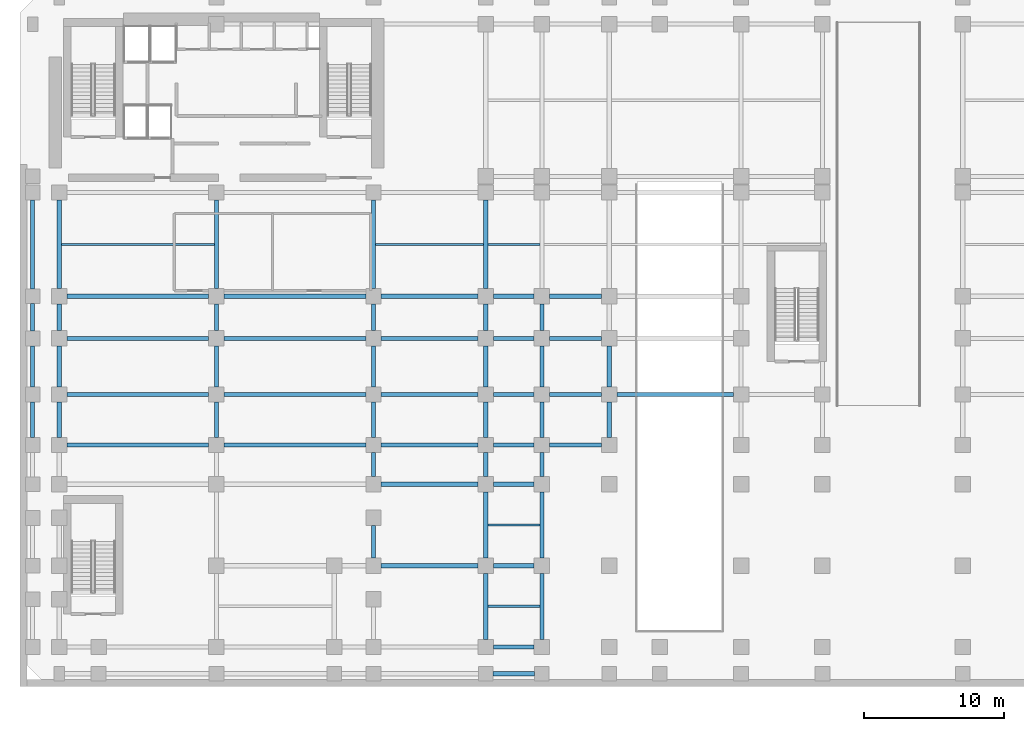
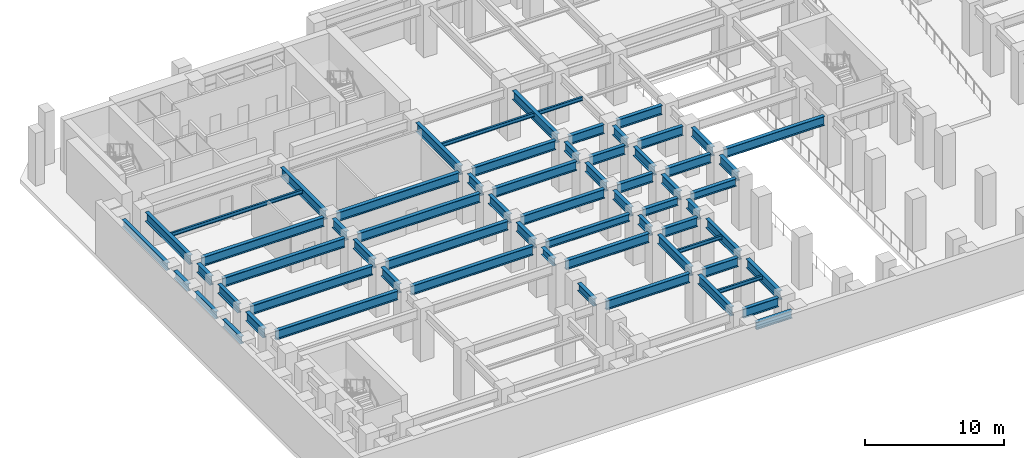
# One storey, part 2 of 12: 65 beams.
"""IFC4 building model written with IfcOpenShell, lengths in metres."""

from ifc_helpers import new_model, si_unit, direction, frame, origin, origin_2d, place, context, subcontext, project, spatial, i_section, extrude, material, material_profile, profile_set, type_object, element, save


model = new_model("IFC4")

# Units and contexts
model_context = context("Model", 3, precision=1e-05, world=origin(), true_north=direction((0.0, 1.0)))
body_context = subcontext(model_context, "Body", "Model", "MODEL_VIEW")
ifc_project = project(units=[si_unit("LENGTHUNIT", "METRE"), si_unit("AREAUNIT", "SQUARE_METRE"), si_unit("VOLUMEUNIT", "CUBIC_METRE"), si_unit("PLANEANGLEUNIT", "RADIAN"), si_unit("MASSUNIT", "GRAM", prefix="KILO")], contexts=[model_context])

# Site, building, storey
site_placement = place(None, origin())
site = spatial("IfcSite", under=ifc_project, at=site_placement, CompositionType="ELEMENT")
building_placement = place(site_placement, origin())
building = spatial("IfcBuilding", under=site, at=building_placement, Name="Kefirva Bronze Tower", CompositionType="ELEMENT")
storey_placement = place(building_placement, frame((0.0, 0.0, -4.6201171875)))
storey = spatial("IfcBuildingStorey", under=building, at=storey_placement, Name="B1", CompositionType="ELEMENT", Elevation=-4.6201171875)

# Beams
ifc_material = material(Name="Steel S355", Category="steel")
ifc_material_profile_1 = material_profile(ifc_material, i_section(OverallWidth=0.159912109375, OverallDepth=0.330078125, WebThickness=0.007568359375, FlangeThickness=0.011474609375, at=origin_2d()), Name="IPE 330")
ifc_profile_set_1 = profile_set([ifc_material_profile_1], Name="Steel S355")
beam_type_1 = type_object("IfcBeamType", Name="Steel Floor Joist IPE 330", PredefinedType="JOIST", material=ifc_profile_set_1)
beam_1_placement = place(storey_placement, frame((0.949951171875, 29.5, 4.135009765625), z_axis=(1.0, 0.0, 0.0), x_axis=(0.0, 1.0, 0.0)))
element("IfcBeam", 1, at=beam_1_placement, inside=storey, type_object=beam_type_1, Name="B1 JST-B1-0-295", PredefinedType="JOIST", context=body_context, shape_type="SweptSolid", body=[
    extrude(i_section(OverallWidth=0.159912109375, OverallDepth=0.330078125, WebThickness=0.007568359375, FlangeThickness=0.011474609375, at=origin_2d()), origin(), (0.0, 0.0, 1.0), 10.900146484375),
])
beam_2_placement = place(storey_placement, frame((23.35009765625, 29.5, 4.135009765625), z_axis=(1.0, 0.0, 0.0), x_axis=(0.0, 1.0, 0.0)))
element("IfcBeam", 2, at=beam_2_placement, inside=storey, type_object=beam_type_1, Name="B1 JST-B1-23-295", PredefinedType="JOIST", context=body_context, shape_type="SweptSolid", body=[
    extrude(i_section(OverallWidth=0.159912109375, OverallDepth=0.330078125, WebThickness=0.007568359375, FlangeThickness=0.011474609375, at=origin_2d()), origin(), (0.0, 0.0, 1.0), 7.699951171875),
])
for number, where, z_axis, x_axis, name in (
    (3, (31.35009765625, 3.699951171875, 4.135009765625), (1.0, 0.0, 0.0), (0.0, 1.0, 0.0), "B1 JST-B1-31-37"),
    (4, (31.35009765625, 9.5, 4.135009765625), (1.0, 0.0, 0.0), (0.0, 1.0, 0.0), "B1 JST-B1-31-95"),
    (5, (31.35009765625, 29.5, 4.135009765625), (1.0, 0.0, 0.0), (0.0, 1.0, 0.0), "B1 JST-B1-31-295"),
):
    element("IfcBeam", number, at=place(storey_placement, frame(where, z_axis=z_axis, x_axis=x_axis)), inside=storey, type_object=beam_type_1, Name=name, PredefinedType="JOIST", context=body_context, shape_type="SweptSolid", body=[
        extrude(i_section(OverallWidth=0.159912109375, OverallDepth=0.330078125, WebThickness=0.007568359375, FlangeThickness=0.011474609375, at=origin_2d()), origin(), (0.0, 0.0, 1.0), 3.699951171875),
    ])
ifc_material_profile_2 = material_profile(ifc_material, i_section(OverallWidth=0.300048828125, OverallDepth=0.800048828125, WebThickness=0.017578125, FlangeThickness=0.032958984375, at=origin_2d()), Name="HEB 800")
ifc_profile_set_2 = profile_set([ifc_material_profile_2], Name="Steel S355")
beam_type_2 = type_object("IfcBeamType", Name="Steel Girder HEB 800", PredefinedType="USERDEFINED", material=ifc_profile_set_2)
beam_3_placement = place(storey_placement, frame((31.75, 0.800048828125, 3.900146484375), z_axis=(1.0, 0.0, 0.0), x_axis=(0.0, 1.0, 0.0)))
element("IfcBeam", 6, at=beam_3_placement, inside=storey, type_object=beam_type_2, Name="B1 BM-B1-EW-31-8", ObjectType="GIRDER", PredefinedType="USERDEFINED", context=body_context, shape_type="SweptSolid", body=[
    extrude(i_section(OverallWidth=0.300048828125, OverallDepth=0.800048828125, WebThickness=0.017578125, FlangeThickness=0.032958984375, at=origin_2d()), origin(), (0.0, 0.0, 1.0), 2.89990234375),
])
beam_4_placement = place(storey_placement, frame((23.75, 6.60009765625, 3.900146484375), z_axis=(1.0, 0.0, 0.0), x_axis=(0.0, 1.0, 0.0)))
element("IfcBeam", 7, at=beam_4_placement, inside=storey, type_object=beam_type_2, Name="B1 BM-B1-EW-23-66", ObjectType="GIRDER", PredefinedType="USERDEFINED", context=body_context, shape_type="SweptSolid", body=[
    extrude(i_section(OverallWidth=0.300048828125, OverallDepth=0.800048828125, WebThickness=0.017578125, FlangeThickness=0.032958984375, at=origin_2d()), origin(), (0.0, 0.0, 1.0), 6.89990234375),
])
beam_5_placement = place(storey_placement, frame((31.75, 6.60009765625, 3.900146484375), z_axis=(1.0, 0.0, 0.0), x_axis=(0.0, 1.0, 0.0)))
element("IfcBeam", 8, at=beam_5_placement, inside=storey, type_object=beam_type_2, Name="B1 BM-B1-EW-31-66", ObjectType="GIRDER", PredefinedType="USERDEFINED", context=body_context, shape_type="SweptSolid", body=[
    extrude(i_section(OverallWidth=0.300048828125, OverallDepth=0.800048828125, WebThickness=0.017578125, FlangeThickness=0.032958984375, at=origin_2d()), origin(), (0.0, 0.0, 1.0), 2.89990234375),
])
beam_6_placement = place(storey_placement, frame((23.75, 12.39990234375, 3.900146484375), z_axis=(1.0, 0.0, 0.0), x_axis=(0.0, 1.0, 0.0)))
element("IfcBeam", 9, at=beam_6_placement, inside=storey, type_object=beam_type_2, Name="B1 BM-B1-EW-23-124", ObjectType="GIRDER", PredefinedType="USERDEFINED", context=body_context, shape_type="SweptSolid", body=[
    extrude(i_section(OverallWidth=0.300048828125, OverallDepth=0.800048828125, WebThickness=0.017578125, FlangeThickness=0.032958984375, at=origin_2d()), origin(), (0.0, 0.0, 1.0), 6.89990234375),
])
beam_7_placement = place(storey_placement, frame((31.75, 12.39990234375, 3.900146484375), z_axis=(1.0, 0.0, 0.0), x_axis=(0.0, 1.0, 0.0)))
element("IfcBeam", 10, at=beam_7_placement, inside=storey, type_object=beam_type_2, Name="B1 BM-B1-EW-31-124", ObjectType="GIRDER", PredefinedType="USERDEFINED", context=body_context, shape_type="SweptSolid", body=[
    extrude(i_section(OverallWidth=0.300048828125, OverallDepth=0.800048828125, WebThickness=0.017578125, FlangeThickness=0.032958984375, at=origin_2d()), origin(), (0.0, 0.0, 1.0), 2.89990234375),
])
for number, where, z_axis, x_axis, name in (
    (11, (1.35009765625, 15.199951171875, 3.900146484375), (1.0, 0.0, 0.0), (0.0, 1.0, 0.0), "B1 BM-B1-EW-0-152"),
    (12, (12.550048828125, 15.199951171875, 3.900146484375), (1.0, 0.0, 0.0), (0.0, 1.0, 0.0), "B1 BM-B1-EW-12-152"),
    (13, (1.35009765625, 18.800048828125, 3.900146484375), (1.0, 0.0, 0.0), (0.0, 1.0, 0.0), "B1 BM-B1-EW-0-188"),
    (14, (12.550048828125, 18.800048828125, 3.900146484375), (1.0, 0.0, 0.0), (0.0, 1.0, 0.0), "B1 BM-B1-EW-12-188"),
):
    element("IfcBeam", number, at=place(storey_placement, frame(where, z_axis=z_axis, x_axis=x_axis)), inside=storey, type_object=beam_type_2, Name=name, ObjectType="GIRDER", PredefinedType="USERDEFINED", context=body_context, shape_type="SweptSolid", body=[
        extrude(i_section(OverallWidth=0.300048828125, OverallDepth=0.800048828125, WebThickness=0.017578125, FlangeThickness=0.032958984375, at=origin_2d()), origin(), (0.0, 0.0, 1.0), 10.099853515625),
    ])
beam_8_placement = place(storey_placement, frame((23.75, 18.800048828125, 3.900146484375), z_axis=(1.0, 0.0, 0.0), x_axis=(0.0, 1.0, 0.0)))
element("IfcBeam", 15, at=beam_8_placement, inside=storey, type_object=beam_type_2, Name="B1 BM-B1-EW-23-188", ObjectType="GIRDER", PredefinedType="USERDEFINED", context=body_context, shape_type="SweptSolid", body=[
    extrude(i_section(OverallWidth=0.300048828125, OverallDepth=0.800048828125, WebThickness=0.017578125, FlangeThickness=0.032958984375, at=origin_2d()), origin(), (0.0, 0.0, 1.0), 6.89990234375),
])
beam_9_placement = place(storey_placement, frame((31.75, 18.800048828125, 3.900146484375), z_axis=(1.0, 0.0, 0.0), x_axis=(0.0, 1.0, 0.0)))
element("IfcBeam", 16, at=beam_9_placement, inside=storey, type_object=beam_type_2, Name="B1 BM-B1-EW-31-188", ObjectType="GIRDER", PredefinedType="USERDEFINED", context=body_context, shape_type="SweptSolid", body=[
    extrude(i_section(OverallWidth=0.300048828125, OverallDepth=0.800048828125, WebThickness=0.017578125, FlangeThickness=0.032958984375, at=origin_2d()), origin(), (0.0, 0.0, 1.0), 2.89990234375),
])
beam_10_placement = place(storey_placement, frame((35.75, 18.800048828125, 3.900146484375), z_axis=(1.0, 0.0, 0.0), x_axis=(0.0, 1.0, 0.0)))
element("IfcBeam", 17, at=beam_10_placement, inside=storey, type_object=beam_type_2, Name="B1 BM-B1-EW-35-188", ObjectType="GIRDER", PredefinedType="USERDEFINED", context=body_context, shape_type="SweptSolid", body=[
    extrude(i_section(OverallWidth=0.300048828125, OverallDepth=0.800048828125, WebThickness=0.017578125, FlangeThickness=0.032958984375, at=origin_2d()), origin(), (0.0, 0.0, 1.0), 3.699951171875),
])
beam_11_placement = place(storey_placement, frame((40.550048828125, 18.800048828125, 3.900146484375), z_axis=(1.0, 0.0, 0.0), x_axis=(0.0, 1.0, 0.0)))
element("IfcBeam", 18, at=beam_11_placement, inside=storey, type_object=beam_type_2, Name="B1 BM-B1-EW-40-188", ObjectType="GIRDER", PredefinedType="USERDEFINED", context=body_context, shape_type="SweptSolid", body=[
    extrude(i_section(OverallWidth=0.300048828125, OverallDepth=0.800048828125, WebThickness=0.017578125, FlangeThickness=0.032958984375, at=origin_2d()), origin(), (0.0, 0.0, 1.0), 8.300048828125),
])
for number, where, z_axis, x_axis, name in (
    (19, (1.35009765625, 22.800048828125, 3.900146484375), (1.0, 0.0, 0.0), (0.0, 1.0, 0.0), "B1 BM-B1-EW-0-228"),
    (20, (12.550048828125, 22.800048828125, 3.900146484375), (1.0, 0.0, 0.0), (0.0, 1.0, 0.0), "B1 BM-B1-EW-12-228"),
):
    element("IfcBeam", number, at=place(storey_placement, frame(where, z_axis=z_axis, x_axis=x_axis)), inside=storey, type_object=beam_type_2, Name=name, ObjectType="GIRDER", PredefinedType="USERDEFINED", context=body_context, shape_type="SweptSolid", body=[
        extrude(i_section(OverallWidth=0.300048828125, OverallDepth=0.800048828125, WebThickness=0.017578125, FlangeThickness=0.032958984375, at=origin_2d()), origin(), (0.0, 0.0, 1.0), 10.099853515625),
    ])
beam_12_placement = place(storey_placement, frame((23.75, 22.800048828125, 3.900146484375), z_axis=(1.0, 0.0, 0.0), x_axis=(0.0, 1.0, 0.0)))
element("IfcBeam", 21, at=beam_12_placement, inside=storey, type_object=beam_type_2, Name="B1 BM-B1-EW-23-228", ObjectType="GIRDER", PredefinedType="USERDEFINED", context=body_context, shape_type="SweptSolid", body=[
    extrude(i_section(OverallWidth=0.300048828125, OverallDepth=0.800048828125, WebThickness=0.017578125, FlangeThickness=0.032958984375, at=origin_2d()), origin(), (0.0, 0.0, 1.0), 6.89990234375),
])
beam_13_placement = place(storey_placement, frame((31.75, 22.800048828125, 3.900146484375), z_axis=(1.0, 0.0, 0.0), x_axis=(0.0, 1.0, 0.0)))
element("IfcBeam", 22, at=beam_13_placement, inside=storey, type_object=beam_type_2, Name="B1 BM-B1-EW-31-228", ObjectType="GIRDER", PredefinedType="USERDEFINED", context=body_context, shape_type="SweptSolid", body=[
    extrude(i_section(OverallWidth=0.300048828125, OverallDepth=0.800048828125, WebThickness=0.017578125, FlangeThickness=0.032958984375, at=origin_2d()), origin(), (0.0, 0.0, 1.0), 2.89990234375),
])
beam_14_placement = place(storey_placement, frame((35.75, 22.800048828125, 3.900146484375), z_axis=(1.0, 0.0, 0.0), x_axis=(0.0, 1.0, 0.0)))
element("IfcBeam", 23, at=beam_14_placement, inside=storey, type_object=beam_type_2, Name="B1 BM-B1-EW-35-228", ObjectType="GIRDER", PredefinedType="USERDEFINED", context=body_context, shape_type="SweptSolid", body=[
    extrude(i_section(OverallWidth=0.300048828125, OverallDepth=0.800048828125, WebThickness=0.017578125, FlangeThickness=0.032958984375, at=origin_2d()), origin(), (0.0, 0.0, 1.0), 3.699951171875),
])
for number, where, z_axis, x_axis, name in (
    (24, (1.35009765625, 25.800048828125, 3.900146484375), (1.0, 0.0, 0.0), (0.0, 1.0, 0.0), "B1 BM-B1-EW-0-258"),
    (25, (12.550048828125, 25.800048828125, 3.900146484375), (1.0, 0.0, 0.0), (0.0, 1.0, 0.0), "B1 BM-B1-EW-12-258"),
):
    element("IfcBeam", number, at=place(storey_placement, frame(where, z_axis=z_axis, x_axis=x_axis)), inside=storey, type_object=beam_type_2, Name=name, ObjectType="GIRDER", PredefinedType="USERDEFINED", context=body_context, shape_type="SweptSolid", body=[
        extrude(i_section(OverallWidth=0.300048828125, OverallDepth=0.800048828125, WebThickness=0.017578125, FlangeThickness=0.032958984375, at=origin_2d()), origin(), (0.0, 0.0, 1.0), 10.099853515625),
    ])
beam_15_placement = place(storey_placement, frame((23.75, 25.800048828125, 3.900146484375), z_axis=(1.0, 0.0, 0.0), x_axis=(0.0, 1.0, 0.0)))
element("IfcBeam", 26, at=beam_15_placement, inside=storey, type_object=beam_type_2, Name="B1 BM-B1-EW-23-258", ObjectType="GIRDER", PredefinedType="USERDEFINED", context=body_context, shape_type="SweptSolid", body=[
    extrude(i_section(OverallWidth=0.300048828125, OverallDepth=0.800048828125, WebThickness=0.017578125, FlangeThickness=0.032958984375, at=origin_2d()), origin(), (0.0, 0.0, 1.0), 6.89990234375),
])
beam_16_placement = place(storey_placement, frame((31.75, 25.800048828125, 3.900146484375), z_axis=(1.0, 0.0, 0.0), x_axis=(0.0, 1.0, 0.0)))
element("IfcBeam", 27, at=beam_16_placement, inside=storey, type_object=beam_type_2, Name="B1 BM-B1-EW-31-258", ObjectType="GIRDER", PredefinedType="USERDEFINED", context=body_context, shape_type="SweptSolid", body=[
    extrude(i_section(OverallWidth=0.300048828125, OverallDepth=0.800048828125, WebThickness=0.017578125, FlangeThickness=0.032958984375, at=origin_2d()), origin(), (0.0, 0.0, 1.0), 2.89990234375),
])
beam_17_placement = place(storey_placement, frame((35.75, 25.800048828125, 3.900146484375), z_axis=(1.0, 0.0, 0.0), x_axis=(0.0, 1.0, 0.0)))
element("IfcBeam", 28, at=beam_17_placement, inside=storey, type_object=beam_type_2, Name="B1 BM-B1-EW-35-258", ObjectType="GIRDER", PredefinedType="USERDEFINED", context=body_context, shape_type="SweptSolid", body=[
    extrude(i_section(OverallWidth=0.300048828125, OverallDepth=0.800048828125, WebThickness=0.017578125, FlangeThickness=0.032958984375, at=origin_2d()), origin(), (0.0, 0.0, 1.0), 3.699951171875),
])
beam_18_placement = place(storey_placement, frame((0.800048828125, 15.75, 3.900146484375), z_axis=(0.0, 1.0, 0.0), x_axis=(-1.0, 0.0, 0.0)))
element("IfcBeam", 29, at=beam_18_placement, inside=storey, type_object=beam_type_2, Name="B1 BM-B1-NS-8-15", ObjectType="GIRDER", PredefinedType="USERDEFINED", context=body_context, shape_type="SweptSolid", body=[
    extrude(i_section(OverallWidth=0.300048828125, OverallDepth=0.800048828125, WebThickness=0.017578125, FlangeThickness=0.032958984375, at=origin_2d()), origin(), (0.0, 0.0, 1.0), 2.5),
])
beam_19_placement = place(storey_placement, frame((0.800048828125, 19.35009765625, 3.900146484375), z_axis=(0.0, 1.0, 0.0), x_axis=(-1.0, 0.0, 0.0)))
element("IfcBeam", 30, at=beam_19_placement, inside=storey, type_object=beam_type_2, Name="B1 BM-B1-NS-8-18", ObjectType="GIRDER", PredefinedType="USERDEFINED", context=body_context, shape_type="SweptSolid", body=[
    extrude(i_section(OverallWidth=0.300048828125, OverallDepth=0.800048828125, WebThickness=0.017578125, FlangeThickness=0.032958984375, at=origin_2d()), origin(), (0.0, 0.0, 1.0), 2.89990234375),
])
beam_20_placement = place(storey_placement, frame((0.800048828125, 23.35009765625, 3.900146484375), z_axis=(0.0, 1.0, 0.0), x_axis=(-1.0, 0.0, 0.0)))
element("IfcBeam", 31, at=beam_20_placement, inside=storey, type_object=beam_type_2, Name="B1 BM-B1-NS-8-22", ObjectType="GIRDER", PredefinedType="USERDEFINED", context=body_context, shape_type="SweptSolid", body=[
    extrude(i_section(OverallWidth=0.300048828125, OverallDepth=0.800048828125, WebThickness=0.017578125, FlangeThickness=0.032958984375, at=origin_2d()), origin(), (0.0, 0.0, 1.0), 1.89990234375),
])
beam_21_placement = place(storey_placement, frame((0.800048828125, 26.35009765625, 3.900146484375), z_axis=(0.0, 1.0, 0.0), x_axis=(-1.0, 0.0, 0.0)))
element("IfcBeam", 32, at=beam_21_placement, inside=storey, type_object=beam_type_2, Name="B1 BM-B1-NS-8-25", ObjectType="GIRDER", PredefinedType="USERDEFINED", context=body_context, shape_type="SweptSolid", body=[
    extrude(i_section(OverallWidth=0.300048828125, OverallDepth=0.800048828125, WebThickness=0.017578125, FlangeThickness=0.032958984375, at=origin_2d()), origin(), (0.0, 0.0, 1.0), 6.2998046875),
])
beam_22_placement = place(storey_placement, frame((12.0, 15.75, 3.900146484375), z_axis=(0.0, 1.0, 0.0), x_axis=(-1.0, 0.0, 0.0)))
element("IfcBeam", 33, at=beam_22_placement, inside=storey, type_object=beam_type_2, Name="B1 BM-B1-NS-120-15", ObjectType="GIRDER", PredefinedType="USERDEFINED", context=body_context, shape_type="SweptSolid", body=[
    extrude(i_section(OverallWidth=0.300048828125, OverallDepth=0.800048828125, WebThickness=0.017578125, FlangeThickness=0.032958984375, at=origin_2d()), origin(), (0.0, 0.0, 1.0), 2.5),
])
beam_23_placement = place(storey_placement, frame((12.0, 19.35009765625, 3.900146484375), z_axis=(0.0, 1.0, 0.0), x_axis=(-1.0, 0.0, 0.0)))
element("IfcBeam", 34, at=beam_23_placement, inside=storey, type_object=beam_type_2, Name="B1 BM-B1-NS-120-18", ObjectType="GIRDER", PredefinedType="USERDEFINED", context=body_context, shape_type="SweptSolid", body=[
    extrude(i_section(OverallWidth=0.300048828125, OverallDepth=0.800048828125, WebThickness=0.017578125, FlangeThickness=0.032958984375, at=origin_2d()), origin(), (0.0, 0.0, 1.0), 2.89990234375),
])
beam_24_placement = place(storey_placement, frame((12.0, 23.35009765625, 3.900146484375), z_axis=(0.0, 1.0, 0.0), x_axis=(-1.0, 0.0, 0.0)))
element("IfcBeam", 35, at=beam_24_placement, inside=storey, type_object=beam_type_2, Name="B1 BM-B1-NS-120-22", ObjectType="GIRDER", PredefinedType="USERDEFINED", context=body_context, shape_type="SweptSolid", body=[
    extrude(i_section(OverallWidth=0.300048828125, OverallDepth=0.800048828125, WebThickness=0.017578125, FlangeThickness=0.032958984375, at=origin_2d()), origin(), (0.0, 0.0, 1.0), 1.89990234375),
])
beam_25_placement = place(storey_placement, frame((12.0, 26.35009765625, 3.900146484375), z_axis=(0.0, 1.0, 0.0), x_axis=(-1.0, 0.0, 0.0)))
element("IfcBeam", 36, at=beam_25_placement, inside=storey, type_object=beam_type_2, Name="B1 BM-B1-NS-120-25", ObjectType="GIRDER", PredefinedType="USERDEFINED", context=body_context, shape_type="SweptSolid", body=[
    extrude(i_section(OverallWidth=0.300048828125, OverallDepth=0.800048828125, WebThickness=0.017578125, FlangeThickness=0.032958984375, at=origin_2d()), origin(), (0.0, 0.0, 1.0), 6.2998046875),
])
beam_26_placement = place(storey_placement, frame((23.199951171875, 15.75, 3.900146484375), z_axis=(0.0, 1.0, 0.0), x_axis=(-1.0, 0.0, 0.0)))
element("IfcBeam", 37, at=beam_26_placement, inside=storey, type_object=beam_type_2, Name="B1 BM-B1-NS-232-15", ObjectType="GIRDER", PredefinedType="USERDEFINED", context=body_context, shape_type="SweptSolid", body=[
    extrude(i_section(OverallWidth=0.300048828125, OverallDepth=0.800048828125, WebThickness=0.017578125, FlangeThickness=0.032958984375, at=origin_2d()), origin(), (0.0, 0.0, 1.0), 2.5),
])
beam_27_placement = place(storey_placement, frame((23.199951171875, 19.35009765625, 3.900146484375), z_axis=(0.0, 1.0, 0.0), x_axis=(-1.0, 0.0, 0.0)))
element("IfcBeam", 38, at=beam_27_placement, inside=storey, type_object=beam_type_2, Name="B1 BM-B1-NS-232-18", ObjectType="GIRDER", PredefinedType="USERDEFINED", context=body_context, shape_type="SweptSolid", body=[
    extrude(i_section(OverallWidth=0.300048828125, OverallDepth=0.800048828125, WebThickness=0.017578125, FlangeThickness=0.032958984375, at=origin_2d()), origin(), (0.0, 0.0, 1.0), 2.89990234375),
])
beam_28_placement = place(storey_placement, frame((23.199951171875, 23.35009765625, 3.900146484375), z_axis=(0.0, 1.0, 0.0), x_axis=(-1.0, 0.0, 0.0)))
element("IfcBeam", 39, at=beam_28_placement, inside=storey, type_object=beam_type_2, Name="B1 BM-B1-NS-232-22", ObjectType="GIRDER", PredefinedType="USERDEFINED", context=body_context, shape_type="SweptSolid", body=[
    extrude(i_section(OverallWidth=0.300048828125, OverallDepth=0.800048828125, WebThickness=0.017578125, FlangeThickness=0.032958984375, at=origin_2d()), origin(), (0.0, 0.0, 1.0), 1.89990234375),
])
beam_29_placement = place(storey_placement, frame((23.199951171875, 26.35009765625, 3.900146484375), z_axis=(0.0, 1.0, 0.0), x_axis=(-1.0, 0.0, 0.0)))
element("IfcBeam", 40, at=beam_29_placement, inside=storey, type_object=beam_type_2, Name="B1 BM-B1-NS-232-25", ObjectType="GIRDER", PredefinedType="USERDEFINED", context=body_context, shape_type="SweptSolid", body=[
    extrude(i_section(OverallWidth=0.300048828125, OverallDepth=0.800048828125, WebThickness=0.017578125, FlangeThickness=0.032958984375, at=origin_2d()), origin(), (0.0, 0.0, 1.0), 6.2998046875),
])
beam_30_placement = place(storey_placement, frame((31.199951171875, 1.35009765625, 3.900146484375), z_axis=(0.0, 1.0, 0.0), x_axis=(-1.0, 0.0, 0.0)))
element("IfcBeam", 41, at=beam_30_placement, inside=storey, type_object=beam_type_2, Name="B1 BM-B1-NS-312-0", ObjectType="GIRDER", PredefinedType="USERDEFINED", context=body_context, shape_type="SweptSolid", body=[
    extrude(i_section(OverallWidth=0.300048828125, OverallDepth=0.800048828125, WebThickness=0.017578125, FlangeThickness=0.032958984375, at=origin_2d()), origin(), (0.0, 0.0, 1.0), 4.699951171875),
])
beam_31_placement = place(storey_placement, frame((31.199951171875, 7.14990234375, 3.900146484375), z_axis=(0.0, 1.0, 0.0), x_axis=(-1.0, 0.0, 0.0)))
element("IfcBeam", 42, at=beam_31_placement, inside=storey, type_object=beam_type_2, Name="B1 BM-B1-NS-312-6", ObjectType="GIRDER", PredefinedType="USERDEFINED", context=body_context, shape_type="SweptSolid", body=[
    extrude(i_section(OverallWidth=0.300048828125, OverallDepth=0.800048828125, WebThickness=0.017578125, FlangeThickness=0.032958984375, at=origin_2d()), origin(), (0.0, 0.0, 1.0), 4.7001953125),
])
beam_32_placement = place(storey_placement, frame((31.199951171875, 12.949951171875, 3.900146484375), z_axis=(0.0, 1.0, 0.0), x_axis=(-1.0, 0.0, 0.0)))
element("IfcBeam", 43, at=beam_32_placement, inside=storey, type_object=beam_type_2, Name="B1 BM-B1-NS-312-12", ObjectType="GIRDER", PredefinedType="USERDEFINED", context=body_context, shape_type="SweptSolid", body=[
    extrude(i_section(OverallWidth=0.300048828125, OverallDepth=0.800048828125, WebThickness=0.017578125, FlangeThickness=0.032958984375, at=origin_2d()), origin(), (0.0, 0.0, 1.0), 1.699951171875),
])
beam_33_placement = place(storey_placement, frame((31.199951171875, 15.75, 3.900146484375), z_axis=(0.0, 1.0, 0.0), x_axis=(-1.0, 0.0, 0.0)))
element("IfcBeam", 44, at=beam_33_placement, inside=storey, type_object=beam_type_2, Name="B1 BM-B1-NS-312-15", ObjectType="GIRDER", PredefinedType="USERDEFINED", context=body_context, shape_type="SweptSolid", body=[
    extrude(i_section(OverallWidth=0.300048828125, OverallDepth=0.800048828125, WebThickness=0.017578125, FlangeThickness=0.032958984375, at=origin_2d()), origin(), (0.0, 0.0, 1.0), 2.5),
])
beam_34_placement = place(storey_placement, frame((31.199951171875, 19.35009765625, 3.900146484375), z_axis=(0.0, 1.0, 0.0), x_axis=(-1.0, 0.0, 0.0)))
element("IfcBeam", 45, at=beam_34_placement, inside=storey, type_object=beam_type_2, Name="B1 BM-B1-NS-312-18", ObjectType="GIRDER", PredefinedType="USERDEFINED", context=body_context, shape_type="SweptSolid", body=[
    extrude(i_section(OverallWidth=0.300048828125, OverallDepth=0.800048828125, WebThickness=0.017578125, FlangeThickness=0.032958984375, at=origin_2d()), origin(), (0.0, 0.0, 1.0), 2.89990234375),
])
beam_35_placement = place(storey_placement, frame((31.199951171875, 23.35009765625, 3.900146484375), z_axis=(0.0, 1.0, 0.0), x_axis=(-1.0, 0.0, 0.0)))
element("IfcBeam", 46, at=beam_35_placement, inside=storey, type_object=beam_type_2, Name="B1 BM-B1-NS-312-22", ObjectType="GIRDER", PredefinedType="USERDEFINED", context=body_context, shape_type="SweptSolid", body=[
    extrude(i_section(OverallWidth=0.300048828125, OverallDepth=0.800048828125, WebThickness=0.017578125, FlangeThickness=0.032958984375, at=origin_2d()), origin(), (0.0, 0.0, 1.0), 1.89990234375),
])
beam_36_placement = place(storey_placement, frame((31.199951171875, 26.35009765625, 3.900146484375), z_axis=(0.0, 1.0, 0.0), x_axis=(-1.0, 0.0, 0.0)))
element("IfcBeam", 47, at=beam_36_placement, inside=storey, type_object=beam_type_2, Name="B1 BM-B1-NS-312-25", ObjectType="GIRDER", PredefinedType="USERDEFINED", context=body_context, shape_type="SweptSolid", body=[
    extrude(i_section(OverallWidth=0.300048828125, OverallDepth=0.800048828125, WebThickness=0.017578125, FlangeThickness=0.032958984375, at=origin_2d()), origin(), (0.0, 0.0, 1.0), 6.2998046875),
])
beam_37_placement = place(storey_placement, frame((35.199951171875, 1.35009765625, 3.900146484375), z_axis=(0.0, 1.0, 0.0), x_axis=(-1.0, 0.0, 0.0)))
element("IfcBeam", 48, at=beam_37_placement, inside=storey, type_object=beam_type_2, Name="B1 BM-B1-NS-352-0", ObjectType="GIRDER", PredefinedType="USERDEFINED", context=body_context, shape_type="SweptSolid", body=[
    extrude(i_section(OverallWidth=0.300048828125, OverallDepth=0.800048828125, WebThickness=0.017578125, FlangeThickness=0.032958984375, at=origin_2d()), origin(), (0.0, 0.0, 1.0), 4.699951171875),
])
beam_38_placement = place(storey_placement, frame((35.199951171875, 7.14990234375, 3.900146484375), z_axis=(0.0, 1.0, 0.0), x_axis=(-1.0, 0.0, 0.0)))
element("IfcBeam", 49, at=beam_38_placement, inside=storey, type_object=beam_type_2, Name="B1 BM-B1-NS-352-6", ObjectType="GIRDER", PredefinedType="USERDEFINED", context=body_context, shape_type="SweptSolid", body=[
    extrude(i_section(OverallWidth=0.300048828125, OverallDepth=0.800048828125, WebThickness=0.017578125, FlangeThickness=0.032958984375, at=origin_2d()), origin(), (0.0, 0.0, 1.0), 4.7001953125),
])
beam_39_placement = place(storey_placement, frame((35.199951171875, 12.949951171875, 3.900146484375), z_axis=(0.0, 1.0, 0.0), x_axis=(-1.0, 0.0, 0.0)))
element("IfcBeam", 50, at=beam_39_placement, inside=storey, type_object=beam_type_2, Name="B1 BM-B1-NS-352-12", ObjectType="GIRDER", PredefinedType="USERDEFINED", context=body_context, shape_type="SweptSolid", body=[
    extrude(i_section(OverallWidth=0.300048828125, OverallDepth=0.800048828125, WebThickness=0.017578125, FlangeThickness=0.032958984375, at=origin_2d()), origin(), (0.0, 0.0, 1.0), 1.699951171875),
])
beam_40_placement = place(storey_placement, frame((35.199951171875, 15.75, 3.900146484375), z_axis=(0.0, 1.0, 0.0), x_axis=(-1.0, 0.0, 0.0)))
element("IfcBeam", 51, at=beam_40_placement, inside=storey, type_object=beam_type_2, Name="B1 BM-B1-NS-352-15", ObjectType="GIRDER", PredefinedType="USERDEFINED", context=body_context, shape_type="SweptSolid", body=[
    extrude(i_section(OverallWidth=0.300048828125, OverallDepth=0.800048828125, WebThickness=0.017578125, FlangeThickness=0.032958984375, at=origin_2d()), origin(), (0.0, 0.0, 1.0), 2.5),
])
beam_41_placement = place(storey_placement, frame((35.199951171875, 19.35009765625, 3.900146484375), z_axis=(0.0, 1.0, 0.0), x_axis=(-1.0, 0.0, 0.0)))
element("IfcBeam", 52, at=beam_41_placement, inside=storey, type_object=beam_type_2, Name="B1 BM-B1-NS-352-18", ObjectType="GIRDER", PredefinedType="USERDEFINED", context=body_context, shape_type="SweptSolid", body=[
    extrude(i_section(OverallWidth=0.300048828125, OverallDepth=0.800048828125, WebThickness=0.017578125, FlangeThickness=0.032958984375, at=origin_2d()), origin(), (0.0, 0.0, 1.0), 2.89990234375),
])
beam_42_placement = place(storey_placement, frame((35.199951171875, 23.35009765625, 3.900146484375), z_axis=(0.0, 1.0, 0.0), x_axis=(-1.0, 0.0, 0.0)))
element("IfcBeam", 53, at=beam_42_placement, inside=storey, type_object=beam_type_2, Name="B1 BM-B1-NS-352-22", ObjectType="GIRDER", PredefinedType="USERDEFINED", context=body_context, shape_type="SweptSolid", body=[
    extrude(i_section(OverallWidth=0.300048828125, OverallDepth=0.800048828125, WebThickness=0.017578125, FlangeThickness=0.032958984375, at=origin_2d()), origin(), (0.0, 0.0, 1.0), 1.89990234375),
])
beam_43_placement = place(storey_placement, frame((40.0, 15.75, 3.900146484375), z_axis=(0.0, 1.0, 0.0), x_axis=(-1.0, 0.0, 0.0)))
element("IfcBeam", 54, at=beam_43_placement, inside=storey, type_object=beam_type_2, Name="B1 BM-B1-NS-400-15", ObjectType="GIRDER", PredefinedType="USERDEFINED", context=body_context, shape_type="SweptSolid", body=[
    extrude(i_section(OverallWidth=0.300048828125, OverallDepth=0.800048828125, WebThickness=0.017578125, FlangeThickness=0.032958984375, at=origin_2d()), origin(), (0.0, 0.0, 1.0), 2.5),
])
beam_44_placement = place(storey_placement, frame((40.0, 19.35009765625, 3.900146484375), z_axis=(0.0, 1.0, 0.0), x_axis=(-1.0, 0.0, 0.0)))
element("IfcBeam", 55, at=beam_44_placement, inside=storey, type_object=beam_type_2, Name="B1 BM-B1-NS-400-18", ObjectType="GIRDER", PredefinedType="USERDEFINED", context=body_context, shape_type="SweptSolid", body=[
    extrude(i_section(OverallWidth=0.300048828125, OverallDepth=0.800048828125, WebThickness=0.017578125, FlangeThickness=0.032958984375, at=origin_2d()), origin(), (0.0, 0.0, 1.0), 2.89990234375),
])
ifc_material_profile_3 = material_profile(ifc_material, i_section(OverallWidth=0.300048828125, OverallDepth=0.64990234375, WebThickness=0.01611328125, FlangeThickness=0.031005859375, at=origin_2d()), Name="HEB 650")
ifc_profile_set_3 = profile_set([ifc_material_profile_3], Name="Steel S355")
beam_type_3 = type_object("IfcBeamType", Name="Steel Spandrel HEB 650 Ext", PredefinedType="SPANDREL", material=ifc_profile_set_3)
beam_45_placement = place(storey_placement, frame((31.72509765625, -1.10009765625, 3.97509765625), z_axis=(1.0, 0.0, 0.0), x_axis=(0.0, 1.0, 0.0)))
element("IfcBeam", 56, at=beam_45_placement, inside=storey, type_object=beam_type_3, Name="B1 BM-B1-EW-31--11", PredefinedType="SPANDREL", context=body_context, shape_type="SweptSolid", body=[
    extrude(i_section(OverallWidth=0.300048828125, OverallDepth=0.64990234375, WebThickness=0.01611328125, FlangeThickness=0.031005859375, at=origin_2d()), origin(), (0.0, 0.0, 1.0), 2.949951171875),
])
beam_46_placement = place(storey_placement, frame((23.75, 15.199951171875, 3.97509765625), z_axis=(1.0, 0.0, 0.0), x_axis=(0.0, 1.0, 0.0)))
element("IfcBeam", 57, at=beam_46_placement, inside=storey, type_object=beam_type_3, Name="B1 BM-B1-EW-23-152", PredefinedType="SPANDREL", context=body_context, shape_type="SweptSolid", body=[
    extrude(i_section(OverallWidth=0.300048828125, OverallDepth=0.64990234375, WebThickness=0.01611328125, FlangeThickness=0.031005859375, at=origin_2d()), origin(), (0.0, 0.0, 1.0), 6.89990234375),
])
beam_47_placement = place(storey_placement, frame((31.75, 15.199951171875, 3.97509765625), z_axis=(1.0, 0.0, 0.0), x_axis=(0.0, 1.0, 0.0)))
element("IfcBeam", 58, at=beam_47_placement, inside=storey, type_object=beam_type_3, Name="B1 BM-B1-EW-31-152", PredefinedType="SPANDREL", context=body_context, shape_type="SweptSolid", body=[
    extrude(i_section(OverallWidth=0.300048828125, OverallDepth=0.64990234375, WebThickness=0.01611328125, FlangeThickness=0.031005859375, at=origin_2d()), origin(), (0.0, 0.0, 1.0), 2.89990234375),
])
beam_48_placement = place(storey_placement, frame((35.75, 15.199951171875, 3.97509765625), z_axis=(1.0, 0.0, 0.0), x_axis=(0.0, 1.0, 0.0)))
element("IfcBeam", 59, at=beam_48_placement, inside=storey, type_object=beam_type_3, Name="B1 BM-B1-EW-35-152", PredefinedType="SPANDREL", context=body_context, shape_type="SweptSolid", body=[
    extrude(i_section(OverallWidth=0.300048828125, OverallDepth=0.64990234375, WebThickness=0.01611328125, FlangeThickness=0.031005859375, at=origin_2d()), origin(), (0.0, 0.0, 1.0), 3.699951171875),
])
beam_49_placement = place(storey_placement, frame((-1.10009765625, 15.72509765625, 3.97509765625), z_axis=(0.0, 1.0, 0.0), x_axis=(-1.0, 0.0, 0.0)))
element("IfcBeam", 60, at=beam_49_placement, inside=storey, type_object=beam_type_3, Name="B1 BM-B1-NS--11-15", PredefinedType="SPANDREL", context=body_context, shape_type="SweptSolid", body=[
    extrude(i_section(OverallWidth=0.300048828125, OverallDepth=0.64990234375, WebThickness=0.01611328125, FlangeThickness=0.031005859375, at=origin_2d()), origin(), (0.0, 0.0, 1.0), 2.5498046875),
])
beam_50_placement = place(storey_placement, frame((-1.10009765625, 19.324951171875, 3.97509765625), z_axis=(0.0, 1.0, 0.0), x_axis=(-1.0, 0.0, 0.0)))
element("IfcBeam", 61, at=beam_50_placement, inside=storey, type_object=beam_type_3, Name="B1 BM-B1-NS--11-18", PredefinedType="SPANDREL", context=body_context, shape_type="SweptSolid", body=[
    extrude(i_section(OverallWidth=0.300048828125, OverallDepth=0.64990234375, WebThickness=0.01611328125, FlangeThickness=0.031005859375, at=origin_2d()), origin(), (0.0, 0.0, 1.0), 2.949951171875),
])
beam_51_placement = place(storey_placement, frame((-1.10009765625, 23.324951171875, 3.97509765625), z_axis=(0.0, 1.0, 0.0), x_axis=(-1.0, 0.0, 0.0)))
element("IfcBeam", 62, at=beam_51_placement, inside=storey, type_object=beam_type_3, Name="B1 BM-B1-NS--11-22", PredefinedType="SPANDREL", context=body_context, shape_type="SweptSolid", body=[
    extrude(i_section(OverallWidth=0.300048828125, OverallDepth=0.64990234375, WebThickness=0.01611328125, FlangeThickness=0.031005859375, at=origin_2d()), origin(), (0.0, 0.0, 1.0), 1.949951171875),
])
beam_52_placement = place(storey_placement, frame((-1.10009765625, 26.324951171875, 3.97509765625), z_axis=(0.0, 1.0, 0.0), x_axis=(-1.0, 0.0, 0.0)))
element("IfcBeam", 63, at=beam_52_placement, inside=storey, type_object=beam_type_3, Name="B1 BM-B1-NS--11-25", PredefinedType="SPANDREL", context=body_context, shape_type="SweptSolid", body=[
    extrude(i_section(OverallWidth=0.300048828125, OverallDepth=0.64990234375, WebThickness=0.01611328125, FlangeThickness=0.031005859375, at=origin_2d()), origin(), (0.0, 0.0, 1.0), 6.35009765625),
])
beam_53_placement = place(storey_placement, frame((23.199951171875, 7.14990234375, 3.97509765625), z_axis=(0.0, 1.0, 0.0), x_axis=(-1.0, 0.0, 0.0)))
element("IfcBeam", 64, at=beam_53_placement, inside=storey, type_object=beam_type_3, Name="B1 BM-B1-NS-232-6", PredefinedType="SPANDREL", context=body_context, shape_type="SweptSolid", body=[
    extrude(i_section(OverallWidth=0.300048828125, OverallDepth=0.64990234375, WebThickness=0.01611328125, FlangeThickness=0.031005859375, at=origin_2d()), origin(), (0.0, 0.0, 1.0), 2.300048828125),
])
beam_54_placement = place(storey_placement, frame((23.199951171875, 12.949951171875, 3.97509765625), z_axis=(0.0, 1.0, 0.0), x_axis=(-1.0, 0.0, 0.0)))
element("IfcBeam", 65, at=beam_54_placement, inside=storey, type_object=beam_type_3, Name="B1 BM-B1-NS-232-12", PredefinedType="SPANDREL", context=body_context, shape_type="SweptSolid", body=[
    extrude(i_section(OverallWidth=0.300048828125, OverallDepth=0.64990234375, WebThickness=0.01611328125, FlangeThickness=0.031005859375, at=origin_2d()), origin(), (0.0, 0.0, 1.0), 1.699951171875),
])

save(model, "model.ifc")
